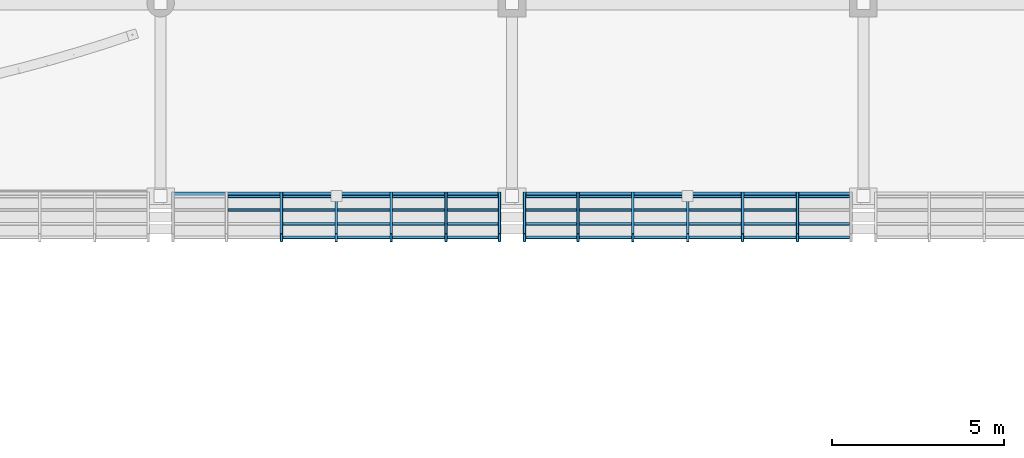
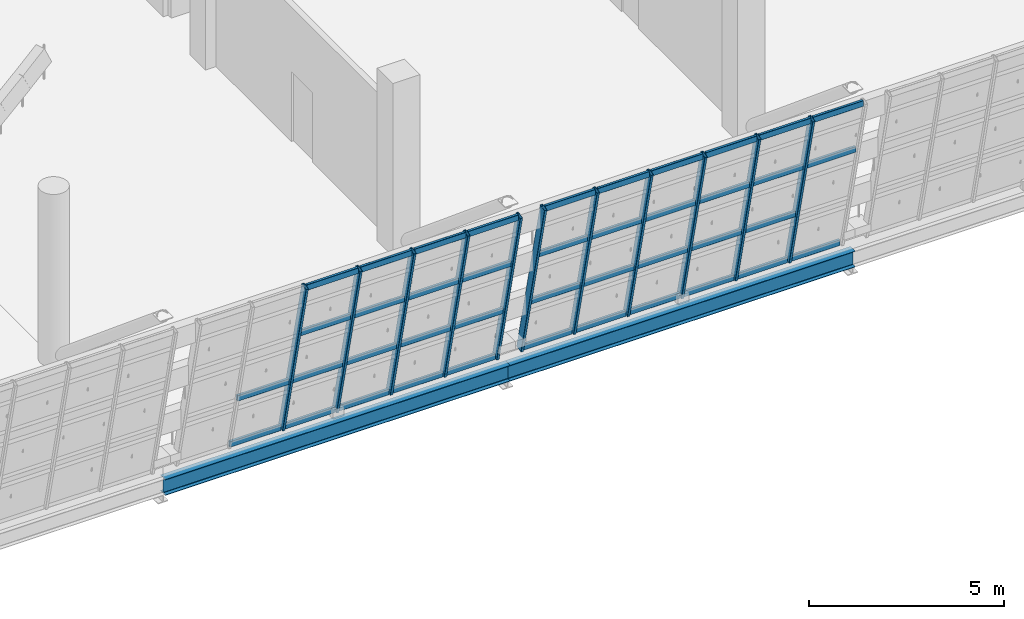
# One storey, part 47 of 175: 52 members, 2 beams, 2 elements without a shape of their own.
"""IFC4 building model written with IfcOpenShell, lengths in metres."""

from ifc_helpers import new_model, si_unit, direction, frame, origin, origin_2d, place, context, subcontext, project, spatial, hollow_rectangle, i_section, extrude, material, material_profile, profile_set, type_object, element, aggregate, save


model = new_model("IFC4")

# Units and contexts
model_context = context("Model", 3, precision=1e-05, world=origin(), true_north=direction((0.0, 1.0)))
body_context = subcontext(model_context, "Body", "Model", "MODEL_VIEW")
ifc_project = project(units=[si_unit("LENGTHUNIT", "METRE"), si_unit("AREAUNIT", "SQUARE_METRE"), si_unit("VOLUMEUNIT", "CUBIC_METRE"), si_unit("PLANEANGLEUNIT", "RADIAN"), si_unit("MASSUNIT", "GRAM", prefix="KILO")], contexts=[model_context])

# Site, building, storey
site_placement = place(None, origin())
site = spatial("IfcSite", under=ifc_project, at=site_placement, CompositionType="ELEMENT")
building_placement = place(site_placement, origin())
building = spatial("IfcBuilding", under=site, at=building_placement, Name="Brelvane Convention Centre", CompositionType="ELEMENT")
storey_placement = place(building_placement, frame((0.0, 0.0, 5.39990234375)))
storey = spatial("IfcBuildingStorey", under=building, at=storey_placement, Name="L01", CompositionType="ELEMENT", Elevation=5.39990234375)

# Curtain wall, members
ifc_material_1 = material(Name="Anodised Aluminium Alloy 6063-T6", Category="aluminium")
curtain_wall_type = type_object("IfcCurtainWallType", Name="Curtain Wall CW-HULL-S", PredefinedType="USERDEFINED", material=ifc_material_1)
curtain_wall_1_placement = place(storey_placement, origin())
curtain_wall_1 = element("IfcCurtainWall", 1, at=curtain_wall_1_placement, inside=storey, type_object=curtain_wall_type, Name="Curtain Wall CW-HULL-S L01-HULL-S-L01-17", ObjectType="UNITISED", PredefinedType="USERDEFINED")
ifc_material_2 = material(Name="Anodised Aluminium Alloy 6063-T6", Category="aluminium")
ifc_material_profile_1 = material_profile(ifc_material_2, hollow_rectangle(XDim=0.080078125, YDim=0.239990234375, WallThickness=0.006103515625, InnerFilletRadius=0.006103515625, OuterFilletRadius=0.011962890625, at=origin_2d()), Name="ALU-M 240x80x6.0")
ifc_profile_set_1 = profile_set([ifc_material_profile_1], Name="Anodised Aluminium Alloy 6063-T6")
member_type_1 = type_object("IfcMemberType", Name="Curtain Mullion CW-M1", PredefinedType="MULLION", material=ifc_profile_set_1)
member_1_placement = place(storey_placement, frame((166.706787109375, 13.60009765625, 0.0), z_axis=(0.0, -0.228360162456, 0.973576723326), x_axis=(1.0, 0.0, 0.0)))
member_1 = element("IfcMember", 2, at=member_1_placement, type_object=member_type_1, Name="CW-HULL-S mullion 3", PredefinedType="MULLION", context=body_context, shape_type="SweptSolid", body=[
    extrude(hollow_rectangle(XDim=0.080078125, YDim=0.239990234375, WallThickness=0.006103515625, InnerFilletRadius=0.006103515625, OuterFilletRadius=0.011962890625, at=origin_2d()), origin(), (0.0, 0.0, 1.0), 5.2900390625),
])
member_2_placement = place(storey_placement, frame((168.300048828125, 13.60009765625, 0.0), z_axis=(0.0, -0.228360162456, 0.973576723326), x_axis=(1.0, 0.0, 0.0)))
member_2 = element("IfcMember", 3, at=member_2_placement, type_object=member_type_1, Name="CW-HULL-S mullion 4", PredefinedType="MULLION", context=body_context, shape_type="SweptSolid", body=[
    extrude(hollow_rectangle(XDim=0.080078125, YDim=0.239990234375, WallThickness=0.006103515625, InnerFilletRadius=0.006103515625, OuterFilletRadius=0.011962890625, at=origin_2d()), origin(), (0.0, 0.0, 1.0), 5.2900390625),
])
member_3_placement = place(storey_placement, frame((169.893310546875, 13.60009765625, 0.0), z_axis=(0.0, -0.228360162456, 0.973576723326), x_axis=(1.0, 0.0, 0.0)))
member_3 = element("IfcMember", 4, at=member_3_placement, type_object=member_type_1, Name="CW-HULL-S mullion 5", PredefinedType="MULLION", context=body_context, shape_type="SweptSolid", body=[
    extrude(hollow_rectangle(XDim=0.080078125, YDim=0.239990234375, WallThickness=0.006103515625, InnerFilletRadius=0.006103515625, OuterFilletRadius=0.011962890625, at=origin_2d()), origin(), (0.0, 0.0, 1.0), 5.2900390625),
])
member_4_placement = place(storey_placement, frame((171.486572265625, 13.60009765625, 0.0), z_axis=(0.0, -0.228360162456, 0.973576723326), x_axis=(1.0, 0.0, 0.0)))
member_4 = element("IfcMember", 5, at=member_4_placement, type_object=member_type_1, Name="CW-HULL-S mullion 6", PredefinedType="MULLION", context=body_context, shape_type="SweptSolid", body=[
    extrude(hollow_rectangle(XDim=0.080078125, YDim=0.239990234375, WallThickness=0.006103515625, InnerFilletRadius=0.006103515625, OuterFilletRadius=0.011962890625, at=origin_2d()), origin(), (0.0, 0.0, 1.0), 5.2900390625),
])
member_5_placement = place(storey_placement, frame((173.0400390625, 13.60009765625, 0.0), z_axis=(0.0, -0.228360162456, 0.973576723326), x_axis=(1.0, 0.0, 0.0)))
member_5 = element("IfcMember", 6, at=member_5_placement, type_object=member_type_1, Name="CW-HULL-S mullion 7", PredefinedType="MULLION", context=body_context, shape_type="SweptSolid", body=[
    extrude(hollow_rectangle(XDim=0.080078125, YDim=0.239990234375, WallThickness=0.006103515625, InnerFilletRadius=0.006103515625, OuterFilletRadius=0.011962890625, at=origin_2d()), origin(), (0.0, 0.0, 1.0), 5.2900390625),
])

curtain_wall_2_placement = place(storey_placement, origin())
curtain_wall_2 = element("IfcCurtainWall", 7, at=curtain_wall_2_placement, inside=storey, type_object=curtain_wall_type, Name="Curtain Wall CW-HULL-S L01-HULL-S-L01-18", ObjectType="UNITISED", PredefinedType="USERDEFINED")
member_6_placement = place(storey_placement, frame((173.760009765625, 13.60009765625, 0.0), z_axis=(0.0, -0.228360162456, 0.973576723326), x_axis=(1.0, 0.0, 0.0)))
member_6 = element("IfcMember", 8, at=member_6_placement, type_object=member_type_1, Name="CW-HULL-S mullion 1", PredefinedType="MULLION", context=body_context, shape_type="SweptSolid", body=[
    extrude(hollow_rectangle(XDim=0.080078125, YDim=0.239990234375, WallThickness=0.006103515625, InnerFilletRadius=0.006103515625, OuterFilletRadius=0.011962890625, at=origin_2d()), origin(), (0.0, 0.0, 1.0), 5.2900390625),
])
member_7_placement = place(storey_placement, frame((175.313232421875, 13.60009765625, 0.0), z_axis=(0.0, -0.228360162456, 0.973576723326), x_axis=(1.0, 0.0, 0.0)))
member_7 = element("IfcMember", 9, at=member_7_placement, type_object=member_type_1, Name="CW-HULL-S mullion 2", PredefinedType="MULLION", context=body_context, shape_type="SweptSolid", body=[
    extrude(hollow_rectangle(XDim=0.080078125, YDim=0.239990234375, WallThickness=0.006103515625, InnerFilletRadius=0.006103515625, OuterFilletRadius=0.011962890625, at=origin_2d()), origin(), (0.0, 0.0, 1.0), 5.2900390625),
])
member_8_placement = place(storey_placement, frame((176.90673828125, 13.60009765625, 0.0), z_axis=(0.0, -0.228360162456, 0.973576723326), x_axis=(1.0, 0.0, 0.0)))
member_8 = element("IfcMember", 10, at=member_8_placement, type_object=member_type_1, Name="CW-HULL-S mullion 3", PredefinedType="MULLION", context=body_context, shape_type="SweptSolid", body=[
    extrude(hollow_rectangle(XDim=0.080078125, YDim=0.239990234375, WallThickness=0.006103515625, InnerFilletRadius=0.006103515625, OuterFilletRadius=0.011962890625, at=origin_2d()), origin(), (0.0, 0.0, 1.0), 5.2900390625),
])
member_9_placement = place(storey_placement, frame((178.5, 13.60009765625, 0.0), z_axis=(0.0, -0.228360162456, 0.973576723326), x_axis=(1.0, 0.0, 0.0)))
member_9 = element("IfcMember", 11, at=member_9_placement, type_object=member_type_1, Name="CW-HULL-S mullion 4", PredefinedType="MULLION", context=body_context, shape_type="SweptSolid", body=[
    extrude(hollow_rectangle(XDim=0.080078125, YDim=0.239990234375, WallThickness=0.006103515625, InnerFilletRadius=0.006103515625, OuterFilletRadius=0.011962890625, at=origin_2d()), origin(), (0.0, 0.0, 1.0), 5.2900390625),
])
member_10_placement = place(storey_placement, frame((180.09326171875, 13.60009765625, 0.0), z_axis=(0.0, -0.228360162456, 0.973576723326), x_axis=(1.0, 0.0, 0.0)))
member_10 = element("IfcMember", 12, at=member_10_placement, type_object=member_type_1, Name="CW-HULL-S mullion 5", PredefinedType="MULLION", context=body_context, shape_type="SweptSolid", body=[
    extrude(hollow_rectangle(XDim=0.080078125, YDim=0.239990234375, WallThickness=0.006103515625, InnerFilletRadius=0.006103515625, OuterFilletRadius=0.011962890625, at=origin_2d()), origin(), (0.0, 0.0, 1.0), 5.2900390625),
])
member_11_placement = place(storey_placement, frame((181.686767578125, 13.60009765625, 0.0), z_axis=(0.0, -0.228360162456, 0.973576723326), x_axis=(1.0, 0.0, 0.0)))
member_11 = element("IfcMember", 13, at=member_11_placement, type_object=member_type_1, Name="CW-HULL-S mullion 6", PredefinedType="MULLION", context=body_context, shape_type="SweptSolid", body=[
    extrude(hollow_rectangle(XDim=0.080078125, YDim=0.239990234375, WallThickness=0.006103515625, InnerFilletRadius=0.006103515625, OuterFilletRadius=0.011962890625, at=origin_2d()), origin(), (0.0, 0.0, 1.0), 5.2900390625),
])

# Member
ifc_material_3 = material(Name="Anodised Aluminium Alloy 6063-T6", Category="aluminium")
ifc_material_profile_2 = material_profile(ifc_material_3, hollow_rectangle(XDim=0.080078125, YDim=0.179931640625, WallThickness=0.0048828125, InnerFilletRadius=0.0048828125, OuterFilletRadius=0.010009765625, at=origin_2d()), Name="ALU-T 180x80x5.0")
ifc_profile_set_2 = profile_set([ifc_material_profile_2], Name="Anodised Aluminium Alloy 6063-T6")
member_type_2 = type_object("IfcMemberType", Name="Curtain Transom CW-T1", PredefinedType="USERDEFINED", material=ifc_profile_set_2)
member_12_placement = place(storey_placement, frame((165.1533203125, 13.590576171875, 0.0400390625), z_axis=(1.0, 0.0, 0.0), x_axis=(0.0, 1.0, 0.0)))
member_12 = element("IfcMember", 14, at=member_12_placement, type_object=member_type_2, Name="CW-HULL-S transom 2.1", ObjectType="TRANSOM", PredefinedType="USERDEFINED", context=body_context, shape_type="SweptSolid", body=[
    extrude(hollow_rectangle(XDim=0.080078125, YDim=0.179931640625, WallThickness=0.0048828125, InnerFilletRadius=0.0048828125, OuterFilletRadius=0.010009765625, at=origin_2d()), origin(), (0.0, 0.0, 1.0), 1.513427734375),
])

member_13_placement = place(storey_placement, frame((165.1533203125, 13.197265625, 1.716796875), z_axis=(1.0, 0.0, 0.0), x_axis=(0.0, 1.0, 0.0)))
member_13 = element("IfcMember", 15, at=member_13_placement, type_object=member_type_2, Name="CW-HULL-S transom 2.2", ObjectType="TRANSOM", PredefinedType="USERDEFINED", context=body_context, shape_type="SweptSolid", body=[
    extrude(hollow_rectangle(XDim=0.080078125, YDim=0.179931640625, WallThickness=0.0048828125, InnerFilletRadius=0.0048828125, OuterFilletRadius=0.010009765625, at=origin_2d()), origin(), (0.0, 0.0, 1.0), 1.513427734375),
])

member_14_placement = place(storey_placement, frame((166.74658203125, 13.590576171875, 0.0400390625), z_axis=(1.0, 0.0, 0.0), x_axis=(0.0, 1.0, 0.0)))
member_14 = element("IfcMember", 16, at=member_14_placement, type_object=member_type_2, Name="CW-HULL-S transom 3.1", ObjectType="TRANSOM", PredefinedType="USERDEFINED", context=body_context, shape_type="SweptSolid", body=[
    extrude(hollow_rectangle(XDim=0.080078125, YDim=0.179931640625, WallThickness=0.0048828125, InnerFilletRadius=0.0048828125, OuterFilletRadius=0.010009765625, at=origin_2d()), origin(), (0.0, 0.0, 1.0), 1.513427734375),
])

member_15_placement = place(storey_placement, frame((166.74658203125, 13.197265625, 1.716796875), z_axis=(1.0, 0.0, 0.0), x_axis=(0.0, 1.0, 0.0)))
member_15 = element("IfcMember", 17, at=member_15_placement, type_object=member_type_2, Name="CW-HULL-S transom 3.2", ObjectType="TRANSOM", PredefinedType="USERDEFINED", context=body_context, shape_type="SweptSolid", body=[
    extrude(hollow_rectangle(XDim=0.080078125, YDim=0.179931640625, WallThickness=0.0048828125, InnerFilletRadius=0.0048828125, OuterFilletRadius=0.010009765625, at=origin_2d()), origin(), (0.0, 0.0, 1.0), 1.513427734375),
])

member_16_placement = place(storey_placement, frame((166.74658203125, 12.794677734375, 3.433349609375), z_axis=(1.0, 0.0, 0.0), x_axis=(0.0, 1.0, 0.0)))
member_16 = element("IfcMember", 18, at=member_16_placement, type_object=member_type_2, Name="CW-HULL-S transom 3.3", ObjectType="TRANSOM", PredefinedType="USERDEFINED", context=body_context, shape_type="SweptSolid", body=[
    extrude(hollow_rectangle(XDim=0.080078125, YDim=0.179931640625, WallThickness=0.0048828125, InnerFilletRadius=0.0048828125, OuterFilletRadius=0.010009765625, at=origin_2d()), origin(), (0.0, 0.0, 1.0), 1.513427734375),
])

member_17_placement = place(storey_placement, frame((166.74658203125, 12.4013671875, 5.110107421875), z_axis=(1.0, 0.0, 0.0), x_axis=(0.0, 1.0, 0.0)))
member_17 = element("IfcMember", 19, at=member_17_placement, type_object=member_type_2, Name="CW-HULL-S transom 3.4", ObjectType="TRANSOM", PredefinedType="USERDEFINED", context=body_context, shape_type="SweptSolid", body=[
    extrude(hollow_rectangle(XDim=0.080078125, YDim=0.179931640625, WallThickness=0.0048828125, InnerFilletRadius=0.0048828125, OuterFilletRadius=0.010009765625, at=origin_2d()), origin(), (0.0, 0.0, 1.0), 1.513427734375),
])

member_18_placement = place(storey_placement, frame((168.340087890625, 13.590576171875, 0.0400390625), z_axis=(1.0, 0.0, 0.0), x_axis=(0.0, 1.0, 0.0)))
member_18 = element("IfcMember", 20, at=member_18_placement, type_object=member_type_2, Name="CW-HULL-S transom 4.1", ObjectType="TRANSOM", PredefinedType="USERDEFINED", context=body_context, shape_type="SweptSolid", body=[
    extrude(hollow_rectangle(XDim=0.080078125, YDim=0.179931640625, WallThickness=0.0048828125, InnerFilletRadius=0.0048828125, OuterFilletRadius=0.010009765625, at=origin_2d()), origin(), (0.0, 0.0, 1.0), 1.51318359375),
])

member_19_placement = place(storey_placement, frame((168.340087890625, 13.197265625, 1.716796875), z_axis=(1.0, 0.0, 0.0), x_axis=(0.0, 1.0, 0.0)))
member_19 = element("IfcMember", 21, at=member_19_placement, type_object=member_type_2, Name="CW-HULL-S transom 4.2", ObjectType="TRANSOM", PredefinedType="USERDEFINED", context=body_context, shape_type="SweptSolid", body=[
    extrude(hollow_rectangle(XDim=0.080078125, YDim=0.179931640625, WallThickness=0.0048828125, InnerFilletRadius=0.0048828125, OuterFilletRadius=0.010009765625, at=origin_2d()), origin(), (0.0, 0.0, 1.0), 1.51318359375),
])

member_20_placement = place(storey_placement, frame((168.340087890625, 12.794677734375, 3.433349609375), z_axis=(1.0, 0.0, 0.0), x_axis=(0.0, 1.0, 0.0)))
member_20 = element("IfcMember", 22, at=member_20_placement, type_object=member_type_2, Name="CW-HULL-S transom 4.3", ObjectType="TRANSOM", PredefinedType="USERDEFINED", context=body_context, shape_type="SweptSolid", body=[
    extrude(hollow_rectangle(XDim=0.080078125, YDim=0.179931640625, WallThickness=0.0048828125, InnerFilletRadius=0.0048828125, OuterFilletRadius=0.010009765625, at=origin_2d()), origin(), (0.0, 0.0, 1.0), 1.51318359375),
])

member_21_placement = place(storey_placement, frame((168.340087890625, 12.4013671875, 5.110107421875), z_axis=(1.0, 0.0, 0.0), x_axis=(0.0, 1.0, 0.0)))
member_21 = element("IfcMember", 23, at=member_21_placement, type_object=member_type_2, Name="CW-HULL-S transom 4.4", ObjectType="TRANSOM", PredefinedType="USERDEFINED", context=body_context, shape_type="SweptSolid", body=[
    extrude(hollow_rectangle(XDim=0.080078125, YDim=0.179931640625, WallThickness=0.0048828125, InnerFilletRadius=0.0048828125, OuterFilletRadius=0.010009765625, at=origin_2d()), origin(), (0.0, 0.0, 1.0), 1.51318359375),
])

member_22_placement = place(storey_placement, frame((169.933349609375, 13.590576171875, 0.0400390625), z_axis=(1.0, 0.0, 0.0), x_axis=(0.0, 1.0, 0.0)))
member_22 = element("IfcMember", 24, at=member_22_placement, type_object=member_type_2, Name="CW-HULL-S transom 5.1", ObjectType="TRANSOM", PredefinedType="USERDEFINED", context=body_context, shape_type="SweptSolid", body=[
    extrude(hollow_rectangle(XDim=0.080078125, YDim=0.179931640625, WallThickness=0.0048828125, InnerFilletRadius=0.0048828125, OuterFilletRadius=0.010009765625, at=origin_2d()), origin(), (0.0, 0.0, 1.0), 1.513427734375),
])

member_23_placement = place(storey_placement, frame((169.933349609375, 13.197265625, 1.716796875), z_axis=(1.0, 0.0, 0.0), x_axis=(0.0, 1.0, 0.0)))
member_23 = element("IfcMember", 25, at=member_23_placement, type_object=member_type_2, Name="CW-HULL-S transom 5.2", ObjectType="TRANSOM", PredefinedType="USERDEFINED", context=body_context, shape_type="SweptSolid", body=[
    extrude(hollow_rectangle(XDim=0.080078125, YDim=0.179931640625, WallThickness=0.0048828125, InnerFilletRadius=0.0048828125, OuterFilletRadius=0.010009765625, at=origin_2d()), origin(), (0.0, 0.0, 1.0), 1.513427734375),
])

member_24_placement = place(storey_placement, frame((169.933349609375, 12.794677734375, 3.433349609375), z_axis=(1.0, 0.0, 0.0), x_axis=(0.0, 1.0, 0.0)))
member_24 = element("IfcMember", 26, at=member_24_placement, type_object=member_type_2, Name="CW-HULL-S transom 5.3", ObjectType="TRANSOM", PredefinedType="USERDEFINED", context=body_context, shape_type="SweptSolid", body=[
    extrude(hollow_rectangle(XDim=0.080078125, YDim=0.179931640625, WallThickness=0.0048828125, InnerFilletRadius=0.0048828125, OuterFilletRadius=0.010009765625, at=origin_2d()), origin(), (0.0, 0.0, 1.0), 1.513427734375),
])

member_25_placement = place(storey_placement, frame((169.933349609375, 12.4013671875, 5.110107421875), z_axis=(1.0, 0.0, 0.0), x_axis=(0.0, 1.0, 0.0)))
member_25 = element("IfcMember", 27, at=member_25_placement, type_object=member_type_2, Name="CW-HULL-S transom 5.4", ObjectType="TRANSOM", PredefinedType="USERDEFINED", context=body_context, shape_type="SweptSolid", body=[
    extrude(hollow_rectangle(XDim=0.080078125, YDim=0.179931640625, WallThickness=0.0048828125, InnerFilletRadius=0.0048828125, OuterFilletRadius=0.010009765625, at=origin_2d()), origin(), (0.0, 0.0, 1.0), 1.513427734375),
])

member_26_placement = place(storey_placement, frame((171.526611328125, 13.590576171875, 0.0400390625), z_axis=(1.0, 0.0, 0.0), x_axis=(0.0, 1.0, 0.0)))
member_26 = element("IfcMember", 28, at=member_26_placement, type_object=member_type_2, Name="CW-HULL-S transom 6.1", ObjectType="TRANSOM", PredefinedType="USERDEFINED", context=body_context, shape_type="SweptSolid", body=[
    extrude(hollow_rectangle(XDim=0.080078125, YDim=0.179931640625, WallThickness=0.0048828125, InnerFilletRadius=0.0048828125, OuterFilletRadius=0.010009765625, at=origin_2d()), origin(), (0.0, 0.0, 1.0), 1.473388671875),
])

member_27_placement = place(storey_placement, frame((171.526611328125, 13.197265625, 1.716796875), z_axis=(1.0, 0.0, 0.0), x_axis=(0.0, 1.0, 0.0)))
member_27 = element("IfcMember", 29, at=member_27_placement, type_object=member_type_2, Name="CW-HULL-S transom 6.2", ObjectType="TRANSOM", PredefinedType="USERDEFINED", context=body_context, shape_type="SweptSolid", body=[
    extrude(hollow_rectangle(XDim=0.080078125, YDim=0.179931640625, WallThickness=0.0048828125, InnerFilletRadius=0.0048828125, OuterFilletRadius=0.010009765625, at=origin_2d()), origin(), (0.0, 0.0, 1.0), 1.473388671875),
])

member_28_placement = place(storey_placement, frame((171.526611328125, 12.794677734375, 3.433349609375), z_axis=(1.0, 0.0, 0.0), x_axis=(0.0, 1.0, 0.0)))
member_28 = element("IfcMember", 30, at=member_28_placement, type_object=member_type_2, Name="CW-HULL-S transom 6.3", ObjectType="TRANSOM", PredefinedType="USERDEFINED", context=body_context, shape_type="SweptSolid", body=[
    extrude(hollow_rectangle(XDim=0.080078125, YDim=0.179931640625, WallThickness=0.0048828125, InnerFilletRadius=0.0048828125, OuterFilletRadius=0.010009765625, at=origin_2d()), origin(), (0.0, 0.0, 1.0), 1.473388671875),
])

member_29_placement = place(storey_placement, frame((171.526611328125, 12.4013671875, 5.110107421875), z_axis=(1.0, 0.0, 0.0), x_axis=(0.0, 1.0, 0.0)))
member_29 = element("IfcMember", 31, at=member_29_placement, type_object=member_type_2, Name="CW-HULL-S transom 6.4", ObjectType="TRANSOM", PredefinedType="USERDEFINED", context=body_context, shape_type="SweptSolid", body=[
    extrude(hollow_rectangle(XDim=0.080078125, YDim=0.179931640625, WallThickness=0.0048828125, InnerFilletRadius=0.0048828125, OuterFilletRadius=0.010009765625, at=origin_2d()), origin(), (0.0, 0.0, 1.0), 1.473388671875),
])

aggregate(curtain_wall_1, [member_1, member_2, member_3, member_4, member_5, member_12, member_13, member_14, member_15, member_16, member_17, member_18, member_19, member_20, member_21, member_22, member_23, member_24, member_25, member_26, member_27, member_28, member_29])

member_30_placement = place(storey_placement, frame((173.800048828125, 13.590576171875, 0.0400390625), z_axis=(1.0, 0.0, 0.0), x_axis=(0.0, 1.0, 0.0)))
member_30 = element("IfcMember", 32, at=member_30_placement, type_object=member_type_2, Name="CW-HULL-S transom 1.1", ObjectType="TRANSOM", PredefinedType="USERDEFINED", context=body_context, shape_type="SweptSolid", body=[
    extrude(hollow_rectangle(XDim=0.080078125, YDim=0.179931640625, WallThickness=0.0048828125, InnerFilletRadius=0.0048828125, OuterFilletRadius=0.010009765625, at=origin_2d()), origin(), (0.0, 0.0, 1.0), 1.473388671875),
])

member_31_placement = place(storey_placement, frame((173.800048828125, 13.197265625, 1.716796875), z_axis=(1.0, 0.0, 0.0), x_axis=(0.0, 1.0, 0.0)))
member_31 = element("IfcMember", 33, at=member_31_placement, type_object=member_type_2, Name="CW-HULL-S transom 1.2", ObjectType="TRANSOM", PredefinedType="USERDEFINED", context=body_context, shape_type="SweptSolid", body=[
    extrude(hollow_rectangle(XDim=0.080078125, YDim=0.179931640625, WallThickness=0.0048828125, InnerFilletRadius=0.0048828125, OuterFilletRadius=0.010009765625, at=origin_2d()), origin(), (0.0, 0.0, 1.0), 1.473388671875),
])

member_32_placement = place(storey_placement, frame((173.800048828125, 12.794677734375, 3.433349609375), z_axis=(1.0, 0.0, 0.0), x_axis=(0.0, 1.0, 0.0)))
member_32 = element("IfcMember", 34, at=member_32_placement, type_object=member_type_2, Name="CW-HULL-S transom 1.3", ObjectType="TRANSOM", PredefinedType="USERDEFINED", context=body_context, shape_type="SweptSolid", body=[
    extrude(hollow_rectangle(XDim=0.080078125, YDim=0.179931640625, WallThickness=0.0048828125, InnerFilletRadius=0.0048828125, OuterFilletRadius=0.010009765625, at=origin_2d()), origin(), (0.0, 0.0, 1.0), 1.473388671875),
])

member_33_placement = place(storey_placement, frame((173.800048828125, 12.4013671875, 5.110107421875), z_axis=(1.0, 0.0, 0.0), x_axis=(0.0, 1.0, 0.0)))
member_33 = element("IfcMember", 35, at=member_33_placement, type_object=member_type_2, Name="CW-HULL-S transom 1.4", ObjectType="TRANSOM", PredefinedType="USERDEFINED", context=body_context, shape_type="SweptSolid", body=[
    extrude(hollow_rectangle(XDim=0.080078125, YDim=0.179931640625, WallThickness=0.0048828125, InnerFilletRadius=0.0048828125, OuterFilletRadius=0.010009765625, at=origin_2d()), origin(), (0.0, 0.0, 1.0), 1.473388671875),
])

member_34_placement = place(storey_placement, frame((175.353271484375, 13.590576171875, 0.0400390625), z_axis=(1.0, 0.0, 0.0), x_axis=(0.0, 1.0, 0.0)))
member_34 = element("IfcMember", 36, at=member_34_placement, type_object=member_type_2, Name="CW-HULL-S transom 2.1", ObjectType="TRANSOM", PredefinedType="USERDEFINED", context=body_context, shape_type="SweptSolid", body=[
    extrude(hollow_rectangle(XDim=0.080078125, YDim=0.179931640625, WallThickness=0.0048828125, InnerFilletRadius=0.0048828125, OuterFilletRadius=0.010009765625, at=origin_2d()), origin(), (0.0, 0.0, 1.0), 1.513427734375),
])

member_35_placement = place(storey_placement, frame((175.353271484375, 13.197265625, 1.716796875), z_axis=(1.0, 0.0, 0.0), x_axis=(0.0, 1.0, 0.0)))
member_35 = element("IfcMember", 37, at=member_35_placement, type_object=member_type_2, Name="CW-HULL-S transom 2.2", ObjectType="TRANSOM", PredefinedType="USERDEFINED", context=body_context, shape_type="SweptSolid", body=[
    extrude(hollow_rectangle(XDim=0.080078125, YDim=0.179931640625, WallThickness=0.0048828125, InnerFilletRadius=0.0048828125, OuterFilletRadius=0.010009765625, at=origin_2d()), origin(), (0.0, 0.0, 1.0), 1.513427734375),
])

member_36_placement = place(storey_placement, frame((175.353271484375, 12.794677734375, 3.433349609375), z_axis=(1.0, 0.0, 0.0), x_axis=(0.0, 1.0, 0.0)))
member_36 = element("IfcMember", 38, at=member_36_placement, type_object=member_type_2, Name="CW-HULL-S transom 2.3", ObjectType="TRANSOM", PredefinedType="USERDEFINED", context=body_context, shape_type="SweptSolid", body=[
    extrude(hollow_rectangle(XDim=0.080078125, YDim=0.179931640625, WallThickness=0.0048828125, InnerFilletRadius=0.0048828125, OuterFilletRadius=0.010009765625, at=origin_2d()), origin(), (0.0, 0.0, 1.0), 1.513427734375),
])

member_37_placement = place(storey_placement, frame((175.353271484375, 12.4013671875, 5.110107421875), z_axis=(1.0, 0.0, 0.0), x_axis=(0.0, 1.0, 0.0)))
member_37 = element("IfcMember", 39, at=member_37_placement, type_object=member_type_2, Name="CW-HULL-S transom 2.4", ObjectType="TRANSOM", PredefinedType="USERDEFINED", context=body_context, shape_type="SweptSolid", body=[
    extrude(hollow_rectangle(XDim=0.080078125, YDim=0.179931640625, WallThickness=0.0048828125, InnerFilletRadius=0.0048828125, OuterFilletRadius=0.010009765625, at=origin_2d()), origin(), (0.0, 0.0, 1.0), 1.513427734375),
])

member_38_placement = place(storey_placement, frame((176.94677734375, 13.590576171875, 0.0400390625), z_axis=(1.0, 0.0, 0.0), x_axis=(0.0, 1.0, 0.0)))
member_38 = element("IfcMember", 40, at=member_38_placement, type_object=member_type_2, Name="CW-HULL-S transom 3.1", ObjectType="TRANSOM", PredefinedType="USERDEFINED", context=body_context, shape_type="SweptSolid", body=[
    extrude(hollow_rectangle(XDim=0.080078125, YDim=0.179931640625, WallThickness=0.0048828125, InnerFilletRadius=0.0048828125, OuterFilletRadius=0.010009765625, at=origin_2d()), origin(), (0.0, 0.0, 1.0), 1.51318359375),
])

member_39_placement = place(storey_placement, frame((176.94677734375, 13.197265625, 1.716796875), z_axis=(1.0, 0.0, 0.0), x_axis=(0.0, 1.0, 0.0)))
member_39 = element("IfcMember", 41, at=member_39_placement, type_object=member_type_2, Name="CW-HULL-S transom 3.2", ObjectType="TRANSOM", PredefinedType="USERDEFINED", context=body_context, shape_type="SweptSolid", body=[
    extrude(hollow_rectangle(XDim=0.080078125, YDim=0.179931640625, WallThickness=0.0048828125, InnerFilletRadius=0.0048828125, OuterFilletRadius=0.010009765625, at=origin_2d()), origin(), (0.0, 0.0, 1.0), 1.51318359375),
])

member_40_placement = place(storey_placement, frame((176.94677734375, 12.794677734375, 3.433349609375), z_axis=(1.0, 0.0, 0.0), x_axis=(0.0, 1.0, 0.0)))
member_40 = element("IfcMember", 42, at=member_40_placement, type_object=member_type_2, Name="CW-HULL-S transom 3.3", ObjectType="TRANSOM", PredefinedType="USERDEFINED", context=body_context, shape_type="SweptSolid", body=[
    extrude(hollow_rectangle(XDim=0.080078125, YDim=0.179931640625, WallThickness=0.0048828125, InnerFilletRadius=0.0048828125, OuterFilletRadius=0.010009765625, at=origin_2d()), origin(), (0.0, 0.0, 1.0), 1.51318359375),
])

member_41_placement = place(storey_placement, frame((176.94677734375, 12.4013671875, 5.110107421875), z_axis=(1.0, 0.0, 0.0), x_axis=(0.0, 1.0, 0.0)))
member_41 = element("IfcMember", 43, at=member_41_placement, type_object=member_type_2, Name="CW-HULL-S transom 3.4", ObjectType="TRANSOM", PredefinedType="USERDEFINED", context=body_context, shape_type="SweptSolid", body=[
    extrude(hollow_rectangle(XDim=0.080078125, YDim=0.179931640625, WallThickness=0.0048828125, InnerFilletRadius=0.0048828125, OuterFilletRadius=0.010009765625, at=origin_2d()), origin(), (0.0, 0.0, 1.0), 1.51318359375),
])

member_42_placement = place(storey_placement, frame((178.5400390625, 13.590576171875, 0.0400390625), z_axis=(1.0, 0.0, 0.0), x_axis=(0.0, 1.0, 0.0)))
member_42 = element("IfcMember", 44, at=member_42_placement, type_object=member_type_2, Name="CW-HULL-S transom 4.1", ObjectType="TRANSOM", PredefinedType="USERDEFINED", context=body_context, shape_type="SweptSolid", body=[
    extrude(hollow_rectangle(XDim=0.080078125, YDim=0.179931640625, WallThickness=0.0048828125, InnerFilletRadius=0.0048828125, OuterFilletRadius=0.010009765625, at=origin_2d()), origin(), (0.0, 0.0, 1.0), 1.51318359375),
])

member_43_placement = place(storey_placement, frame((178.5400390625, 13.197265625, 1.716796875), z_axis=(1.0, 0.0, 0.0), x_axis=(0.0, 1.0, 0.0)))
member_43 = element("IfcMember", 45, at=member_43_placement, type_object=member_type_2, Name="CW-HULL-S transom 4.2", ObjectType="TRANSOM", PredefinedType="USERDEFINED", context=body_context, shape_type="SweptSolid", body=[
    extrude(hollow_rectangle(XDim=0.080078125, YDim=0.179931640625, WallThickness=0.0048828125, InnerFilletRadius=0.0048828125, OuterFilletRadius=0.010009765625, at=origin_2d()), origin(), (0.0, 0.0, 1.0), 1.51318359375),
])

member_44_placement = place(storey_placement, frame((178.5400390625, 12.794677734375, 3.433349609375), z_axis=(1.0, 0.0, 0.0), x_axis=(0.0, 1.0, 0.0)))
member_44 = element("IfcMember", 46, at=member_44_placement, type_object=member_type_2, Name="CW-HULL-S transom 4.3", ObjectType="TRANSOM", PredefinedType="USERDEFINED", context=body_context, shape_type="SweptSolid", body=[
    extrude(hollow_rectangle(XDim=0.080078125, YDim=0.179931640625, WallThickness=0.0048828125, InnerFilletRadius=0.0048828125, OuterFilletRadius=0.010009765625, at=origin_2d()), origin(), (0.0, 0.0, 1.0), 1.51318359375),
])

member_45_placement = place(storey_placement, frame((178.5400390625, 12.4013671875, 5.110107421875), z_axis=(1.0, 0.0, 0.0), x_axis=(0.0, 1.0, 0.0)))
member_45 = element("IfcMember", 47, at=member_45_placement, type_object=member_type_2, Name="CW-HULL-S transom 4.4", ObjectType="TRANSOM", PredefinedType="USERDEFINED", context=body_context, shape_type="SweptSolid", body=[
    extrude(hollow_rectangle(XDim=0.080078125, YDim=0.179931640625, WallThickness=0.0048828125, InnerFilletRadius=0.0048828125, OuterFilletRadius=0.010009765625, at=origin_2d()), origin(), (0.0, 0.0, 1.0), 1.51318359375),
])

member_46_placement = place(storey_placement, frame((180.13330078125, 13.590576171875, 0.0400390625), z_axis=(1.0, 0.0, 0.0), x_axis=(0.0, 1.0, 0.0)))
member_46 = element("IfcMember", 48, at=member_46_placement, type_object=member_type_2, Name="CW-HULL-S transom 5.1", ObjectType="TRANSOM", PredefinedType="USERDEFINED", context=body_context, shape_type="SweptSolid", body=[
    extrude(hollow_rectangle(XDim=0.080078125, YDim=0.179931640625, WallThickness=0.0048828125, InnerFilletRadius=0.0048828125, OuterFilletRadius=0.010009765625, at=origin_2d()), origin(), (0.0, 0.0, 1.0), 1.513427734375),
])

member_47_placement = place(storey_placement, frame((180.13330078125, 13.197265625, 1.716796875), z_axis=(1.0, 0.0, 0.0), x_axis=(0.0, 1.0, 0.0)))
member_47 = element("IfcMember", 49, at=member_47_placement, type_object=member_type_2, Name="CW-HULL-S transom 5.2", ObjectType="TRANSOM", PredefinedType="USERDEFINED", context=body_context, shape_type="SweptSolid", body=[
    extrude(hollow_rectangle(XDim=0.080078125, YDim=0.179931640625, WallThickness=0.0048828125, InnerFilletRadius=0.0048828125, OuterFilletRadius=0.010009765625, at=origin_2d()), origin(), (0.0, 0.0, 1.0), 1.513427734375),
])

member_48_placement = place(storey_placement, frame((180.13330078125, 12.794677734375, 3.433349609375), z_axis=(1.0, 0.0, 0.0), x_axis=(0.0, 1.0, 0.0)))
member_48 = element("IfcMember", 50, at=member_48_placement, type_object=member_type_2, Name="CW-HULL-S transom 5.3", ObjectType="TRANSOM", PredefinedType="USERDEFINED", context=body_context, shape_type="SweptSolid", body=[
    extrude(hollow_rectangle(XDim=0.080078125, YDim=0.179931640625, WallThickness=0.0048828125, InnerFilletRadius=0.0048828125, OuterFilletRadius=0.010009765625, at=origin_2d()), origin(), (0.0, 0.0, 1.0), 1.513427734375),
])

member_49_placement = place(storey_placement, frame((180.13330078125, 12.4013671875, 5.110107421875), z_axis=(1.0, 0.0, 0.0), x_axis=(0.0, 1.0, 0.0)))
member_49 = element("IfcMember", 51, at=member_49_placement, type_object=member_type_2, Name="CW-HULL-S transom 5.4", ObjectType="TRANSOM", PredefinedType="USERDEFINED", context=body_context, shape_type="SweptSolid", body=[
    extrude(hollow_rectangle(XDim=0.080078125, YDim=0.179931640625, WallThickness=0.0048828125, InnerFilletRadius=0.0048828125, OuterFilletRadius=0.010009765625, at=origin_2d()), origin(), (0.0, 0.0, 1.0), 1.513427734375),
])

member_50_placement = place(storey_placement, frame((181.7265625, 13.590576171875, 0.0400390625), z_axis=(1.0, 0.0, 0.0), x_axis=(0.0, 1.0, 0.0)))
member_50 = element("IfcMember", 52, at=member_50_placement, type_object=member_type_2, Name="CW-HULL-S transom 6.1", ObjectType="TRANSOM", PredefinedType="USERDEFINED", context=body_context, shape_type="SweptSolid", body=[
    extrude(hollow_rectangle(XDim=0.080078125, YDim=0.179931640625, WallThickness=0.0048828125, InnerFilletRadius=0.0048828125, OuterFilletRadius=0.010009765625, at=origin_2d()), origin(), (0.0, 0.0, 1.0), 1.473388671875),
])

member_51_placement = place(storey_placement, frame((181.7265625, 12.794677734375, 3.433349609375), z_axis=(1.0, 0.0, 0.0), x_axis=(0.0, 1.0, 0.0)))
member_51 = element("IfcMember", 53, at=member_51_placement, type_object=member_type_2, Name="CW-HULL-S transom 6.3", ObjectType="TRANSOM", PredefinedType="USERDEFINED", context=body_context, shape_type="SweptSolid", body=[
    extrude(hollow_rectangle(XDim=0.080078125, YDim=0.179931640625, WallThickness=0.0048828125, InnerFilletRadius=0.0048828125, OuterFilletRadius=0.010009765625, at=origin_2d()), origin(), (0.0, 0.0, 1.0), 1.473388671875),
])

member_52_placement = place(storey_placement, frame((181.7265625, 12.4013671875, 5.110107421875), z_axis=(1.0, 0.0, 0.0), x_axis=(0.0, 1.0, 0.0)))
member_52 = element("IfcMember", 54, at=member_52_placement, type_object=member_type_2, Name="CW-HULL-S transom 6.4", ObjectType="TRANSOM", PredefinedType="USERDEFINED", context=body_context, shape_type="SweptSolid", body=[
    extrude(hollow_rectangle(XDim=0.080078125, YDim=0.179931640625, WallThickness=0.0048828125, InnerFilletRadius=0.0048828125, OuterFilletRadius=0.010009765625, at=origin_2d()), origin(), (0.0, 0.0, 1.0), 1.473388671875),
])

aggregate(curtain_wall_2, [member_6, member_7, member_8, member_9, member_10, member_11, member_30, member_31, member_32, member_33, member_34, member_35, member_36, member_37, member_38, member_39, member_40, member_41, member_42, member_43, member_44, member_45, member_46, member_47, member_48, member_49, member_50, member_51, member_52])

# Beams
ifc_material_4 = material(Name="Steel E350 (350 MPa)", Category="steel")
ifc_material_profile_3 = material_profile(ifc_material_4, i_section(OverallWidth=0.25, OverallDepth=0.5, WebThickness=0.010009765625, FlangeThickness=0.0146484375, FilletRadius=0.01611328125, at=origin_2d()), Name="ISWB 500")
ifc_profile_set_3 = profile_set([ifc_material_profile_3], Name="Steel E350 (350 MPa)")
beam_type = type_object("IfcBeamType", Name="Steel Spandrel SP-ST1 (ISWB 500)", PredefinedType="SPANDREL", material=ifc_profile_set_3)
beam_1_placement = place(storey_placement, frame((163.199951171875, 13.60009765625, -0.56982421875), z_axis=(1.0, 0.0, 0.0), x_axis=(0.0, 1.0, 0.0)))
element("IfcBeam", 55, at=beam_1_placement, inside=storey, type_object=beam_type, Name="L01 Hull Overhang Edge Spandrel 17", PredefinedType="SPANDREL", context=body_context, shape_type="SweptSolid", body=[
    extrude(i_section(OverallWidth=0.25, OverallDepth=0.5, WebThickness=0.010009765625, FlangeThickness=0.0146484375, FilletRadius=0.01611328125, at=origin_2d()), origin(), (0.0, 0.0, 1.0), 10.199951171875),
])
beam_2_placement = place(storey_placement, frame((173.39990234375, 13.60009765625, -0.56982421875), z_axis=(1.0, 0.0, 0.0), x_axis=(0.0, 1.0, 0.0)))
element("IfcBeam", 56, at=beam_2_placement, inside=storey, type_object=beam_type, Name="L01 Hull Overhang Edge Spandrel 18", PredefinedType="SPANDREL", context=body_context, shape_type="SweptSolid", body=[
    extrude(i_section(OverallWidth=0.25, OverallDepth=0.5, WebThickness=0.010009765625, FlangeThickness=0.0146484375, FilletRadius=0.01611328125, at=origin_2d()), origin(), (0.0, 0.0, 1.0), 10.2001953125),
])

save(model, "model.ifc")
